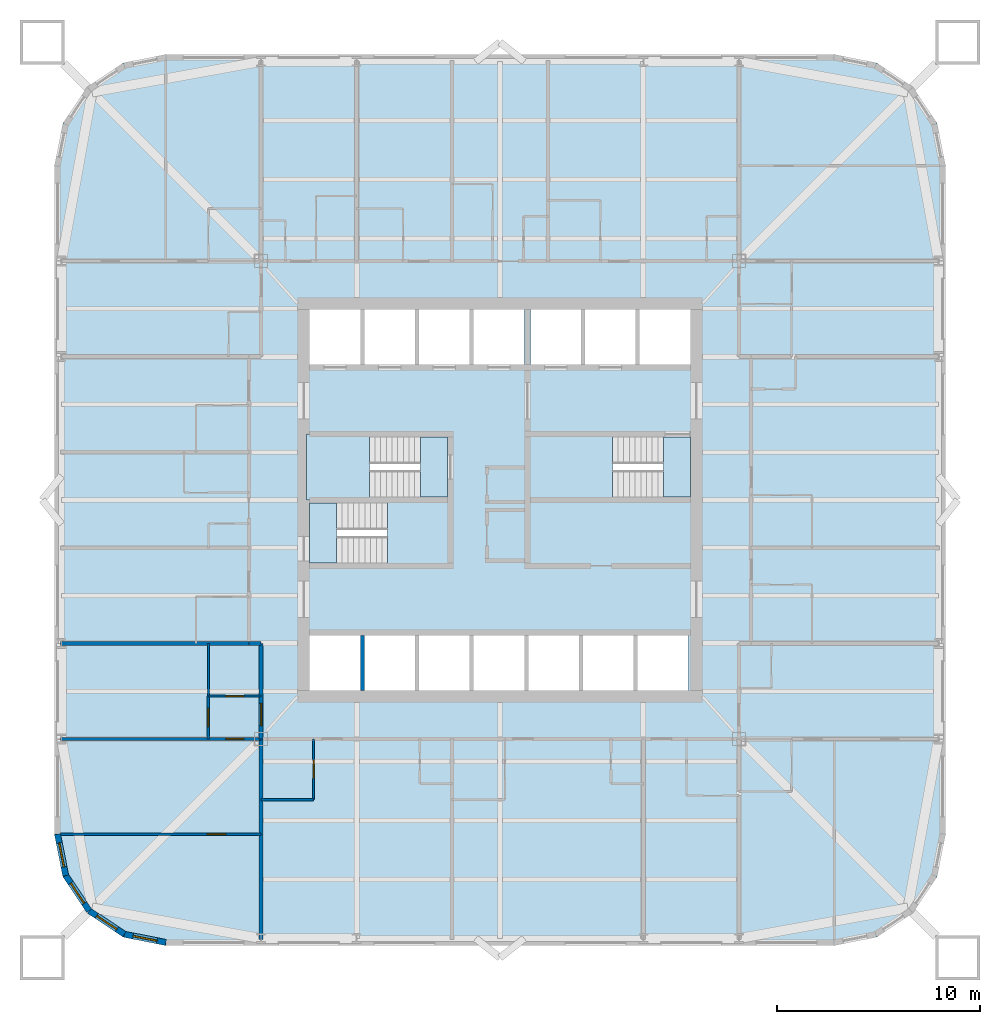
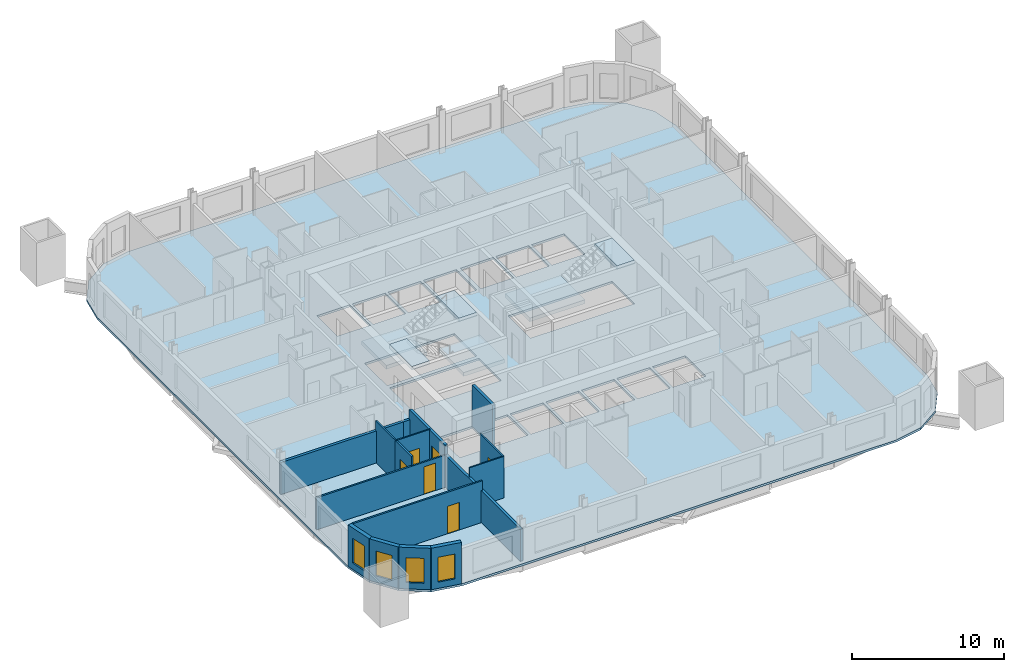
# One storey, part 2 of 9: 16 walls, 7 slabs, 6 doors, 4 windows, 10 openings, 3 elements without a shape of their own.
"""IFC4 building model written with IfcOpenShell, lengths in metres."""

import ifcopenshell
import ifcopenshell.guid

model = None  # the IFC model being written
_history = None  # IfcOwnerHistory: only IFC2X3 demands one
_inside = {}  # id of a spatial element -> (the spatial element, [elements in it])
_under = {}  # id of a project, library or spatial element -> (it, [spatial elements below it])
_declared = {}  # id of a project -> (the project, [libraries it declares])
_typed = {}  # id of a type object -> (the type object, [elements of that type])
_made_of = {}  # id of a material, layer set ... -> (it, [elements and type objects made of it])


def new_model(schema):
    """Start an empty IFC model of exactly this schema.

    Asked for "IFC4X3", IfcOpenShell would pick the latest addendum, in which some entities
    have other attributes; the version numbers below select the first issue.
    IFC2X3 requires an IfcOwnerHistory on every rooted entity: one is made here for all.
    """
    global model, _history
    if schema == "IFC4X3":
        model = ifcopenshell.file(schema_version=(4, 3, 0, 0))
    else:
        model = ifcopenshell.file(schema=schema)
    _inside.clear()
    _under.clear()
    _declared.clear()
    _typed.clear()
    _made_of.clear()
    _history = None
    if model.schema == "IFC2X3":
        org = make("IfcOrganization", Name="unknown")
        user = make(
            "IfcPersonAndOrganization",
            ThePerson=make("IfcPerson", FamilyName="unknown"),
            TheOrganization=org,
        )
        app = make(
            "IfcApplication",
            ApplicationDeveloper=org,
            Version="unknown",
            ApplicationFullName="unknown",
            ApplicationIdentifier="unknown",
        )
        _history = make(
            "IfcOwnerHistory",
            OwningUser=user,
            OwningApplication=app,
            ChangeAction="ADDED",
            CreationDate=0,
        )
    return model


def make(cls, **values):
    """One entity of the class cls with the attributes given. An attribute that is None is left unset."""
    return model.create_entity(
        cls, **{name: value for name, value in values.items() if value is not None}
    )


def rooted(cls, **values):
    """An entity with a GlobalId (a new one), such as an element, a storey or a relation."""
    return make(cls, GlobalId=ifcopenshell.guid.new(), OwnerHistory=_history, **values)


def si_unit(unit_type, name, prefix=None):
    """IfcSIUnit, for example si_unit("LENGTHUNIT", "METRE", prefix="MILLI")."""
    return make("IfcSIUnit", UnitType=unit_type, Prefix=prefix, Name=name)


def assignment(units):
    """IfcUnitAssignment: the units of a project."""
    return None if units is None else make("IfcUnitAssignment", Units=units)


def point(xyz):
    """IfcCartesianPoint."""
    return None if xyz is None else make("IfcCartesianPoint", Coordinates=xyz)


def direction(xyz):
    """IfcDirection."""
    return None if xyz is None else make("IfcDirection", DirectionRatios=xyz)


def frame(location, z_axis=None, x_axis=None):
    """IfcAxis2Placement3D, a coordinate frame: its origin and axes. An axis left out is left unset."""
    return make(
        "IfcAxis2Placement3D",
        Location=point(location),
        Axis=direction(z_axis),
        RefDirection=direction(x_axis),
    )


def frame_2d(location, x_axis=None):
    """IfcAxis2Placement2D, a coordinate frame in the plane: its origin and x axis."""
    return make(
        "IfcAxis2Placement2D", Location=point(location), RefDirection=direction(x_axis)
    )


def origin():
    """The frame at (0, 0, 0) with its axes left unset."""
    return frame((0.0, 0.0, 0.0))


def place(relative_to, where):
    """IfcLocalPlacement: puts the frame where relative to a parent placement (None: the world)."""
    return make(
        "IfcLocalPlacement", PlacementRelTo=relative_to, RelativePlacement=where
    )


def context(
    kind, dimensions, precision=None, world=None, true_north=None, identifier=None
):
    """IfcGeometricRepresentationContext, for example the 3D "Model" context."""
    return make(
        "IfcGeometricRepresentationContext",
        ContextIdentifier=identifier,
        ContextType=kind,
        CoordinateSpaceDimension=dimensions,
        Precision=precision,
        WorldCoordinateSystem=world,
        TrueNorth=true_north,
    )


def subcontext(parent, identifier, kind, view, scale=None):
    """IfcGeometricRepresentationSubContext, for example "Body" below "Model"."""
    return make(
        "IfcGeometricRepresentationSubContext",
        ContextIdentifier=identifier,
        ContextType=kind,
        ParentContext=parent,
        TargetScale=scale,
        TargetView=view,
    )


def project(units=None, contexts=None):
    """IfcProject with its units and contexts."""
    return rooted(
        "IfcProject",
        Name="project",
        RepresentationContexts=contexts,
        UnitsInContext=assignment(units),
    )


def spatial(cls, under=None, at=None, **own):
    """A site, building, storey or space (cls), placed at a placement, below another one or the project."""
    s = rooted(cls, ObjectPlacement=at, **own)
    if under is not None:
        _under.setdefault(under.id(), (under, []))[1].append(s)
    return s


def polyline(points):
    """IfcPolyline through the points."""
    return make("IfcPolyline", Points=[point(p) for p in points])


def profile(cls, at=None, kind="AREA", **sizes):
    """A parametric profile (cls). Its sizes go by their IFC names, for example OverallWidth=200.0."""
    return make(cls, ProfileType=kind, Position=at, **sizes)


def rectangle(**sizes):
    """IfcRectangleProfileDef."""
    return profile("IfcRectangleProfileDef", **sizes)


def outline(outer, holes=None, kind="AREA"):
    """IfcArbitraryClosedProfileDef: a profile drawn as a closed curve; with holes, ...WithVoids."""
    if holes is None:
        return make("IfcArbitraryClosedProfileDef", ProfileType=kind, OuterCurve=outer)
    return make(
        "IfcArbitraryProfileDefWithVoids",
        ProfileType=kind,
        OuterCurve=outer,
        InnerCurves=holes,
    )


def extrude(swept, where, along, depth):
    """IfcExtrudedAreaSolid: the profile swept, set in the frame where, extruded along a direction by depth."""
    return make(
        "IfcExtrudedAreaSolid",
        SweptArea=swept,
        Position=where,
        ExtrudedDirection=direction(along),
        Depth=depth,
    )


def shape(context_of_items, identifier, shape_type, items):
    """IfcShapeRepresentation: the items that make up one representation, for example the "Body"."""
    return make(
        "IfcShapeRepresentation",
        ContextOfItems=context_of_items,
        RepresentationIdentifier=identifier,
        RepresentationType=shape_type,
        Items=items,
    )


def material(Name=None, Category=None):
    """IfcMaterial."""
    return make("IfcMaterial", Name=Name, Category=Category)


def layer(
    of_material, thickness, ventilated=None, Name=None, Category=None, Priority=None
):
    """IfcMaterialLayer: one layer of a wall or slab, of a material (None: an air gap)."""
    return make(
        "IfcMaterialLayer",
        Material=of_material,
        LayerThickness=thickness,
        IsVentilated=ventilated,
        Name=Name,
        Category=Category,
        Priority=Priority,
    )


def layer_set(layers, Name=None):
    """IfcMaterialLayerSet."""
    return make("IfcMaterialLayerSet", MaterialLayers=layers, LayerSetName=Name)


def made_of(thing, what):
    """Note that an element or type object is made of a material, layer set ...; save() writes the relation."""
    if what is not None:
        _made_of.setdefault(what.id(), (what, []))[1].append(thing)
    return thing


def type_object(cls, material=None, **own):
    """A type object (cls), such as IfcWallType, which elements share."""
    return made_of(rooted(cls, **own), material)


def element(
    cls,
    number,
    at=None,
    inside=None,
    cuts=None,
    type_object=None,
    material=None,
    context=None,
    identifier="Body",
    shape_type=None,
    held_by="IfcProductDefinitionShape",
    body=None,
    shapes=None,
    **own,
):
    """One element of the class cls, such as IfcWall. Its Tag is "e" and its number.

    at: its placement. inside: the storey or other place that contains it. cuts: it is an
    opening in that element (IfcRelVoidsElement). A single representation is given by context,
    identifier, shape_type and body (its items); several are given by shapes. held_by: the class
    of the entity that holds the representations. save() writes the other relations.
    """
    e = rooted(cls, Tag="e%d" % number, ObjectPlacement=at, **own)
    if body is not None:
        shapes = [shape(context, identifier, shape_type, body)]
    if shapes is not None:
        e.Representation = make(held_by, Representations=shapes)
    if inside is not None:
        _inside.setdefault(inside.id(), (inside, []))[1].append(e)
    if cuts is not None:
        rooted(
            "IfcRelVoidsElement", RelatingBuildingElement=cuts, RelatedOpeningElement=e
        )
    if type_object is not None:
        _typed.setdefault(type_object.id(), (type_object, []))[1].append(e)
    return made_of(e, material)


def fill(opening, filler):
    """IfcRelFillsElement: the door or window that sits in an opening."""
    return rooted(
        "IfcRelFillsElement",
        RelatingOpeningElement=opening,
        RelatedBuildingElement=filler,
    )


def aggregate(whole, parts):
    """IfcRelAggregates: a whole, such as a stair, and the parts it consists of."""
    return rooted("IfcRelAggregates", RelatingObject=whole, RelatedObjects=parts)


def save(model, path):
    """Write the relations noted so far, then the file.

    IfcRelAggregates (storeys below a building ...), IfcRelContainedInSpatialStructure (elements
    in a storey), IfcRelDefinesByType, IfcRelAssociatesMaterial and IfcRelDeclares: one each for
    every whole, place, type object, material and project.
    """
    for whole, parts in _under.values():
        aggregate(whole, parts)
    for where, things in _inside.values():
        rooted(
            "IfcRelContainedInSpatialStructure",
            RelatedElements=things,
            RelatingStructure=where,
        )
    for kind, things in _typed.values():
        rooted("IfcRelDefinesByType", RelatedObjects=things, RelatingType=kind)
    for what, things in _made_of.values():
        rooted("IfcRelAssociatesMaterial", RelatedObjects=things, RelatingMaterial=what)
    for by, libraries in _declared.values():
        rooted("IfcRelDeclares", RelatingContext=by, RelatedDefinitions=libraries)
    model.write(path)


model = new_model("IFC4")

# Units and contexts
model_context = context("Model", 3, precision=1e-05, world=origin(), true_north=direction((0.0, 1.0)))
body_context = subcontext(model_context, "Body", "Model", "MODEL_VIEW")
ifc_project = project(units=[si_unit("LENGTHUNIT", "METRE"), si_unit("AREAUNIT", "SQUARE_METRE"), si_unit("VOLUMEUNIT", "CUBIC_METRE"), si_unit("PLANEANGLEUNIT", "RADIAN"), si_unit("MASSUNIT", "GRAM", prefix="KILO")], contexts=[model_context])

# Site, building, storey
site_placement = place(None, origin())
site = spatial("IfcSite", under=ifc_project, at=site_placement, CompositionType="ELEMENT")
building_placement = place(site_placement, origin())
building = spatial("IfcBuilding", under=site, at=building_placement, Name="Turquesa Mirador Hotel Tower", CompositionType="ELEMENT")
storey_placement = place(building_placement, frame((0.0, 0.0, 56.5)))
storey = spatial("IfcBuildingStorey", under=building, at=storey_placement, Name="L14", CompositionType="ELEMENT", Elevation=56.5)

# Slab
ifc_material_1 = material(Name="Concrete C28/35", Category="concrete")
ifc_layer_1 = layer(ifc_material_1, 0.169921875)
ifc_layer_set_1 = layer_set([ifc_layer_1], Name="COMPOSITE FLOOR SLAB 170")
slab_type_1 = type_object("IfcSlabType", Name="COMPOSITE FLOOR SLAB 170", PredefinedType="FLOOR", material=ifc_layer_set_1)
slab_1_placement = place(storey_placement, frame((0.0, 0.0, -0.169921875)))
element("IfcSlab", 1, at=slab_1_placement, inside=storey, type_object=slab_type_1, Name="Floor slab L14", PredefinedType="FLOOR", context=body_context, shape_type="SweptSolid", body=[
    extrude(outline(polyline([(71.5, 23.0), (73.604736328125, 23.418701171875), (75.38916015625, 24.61083984375), (76.581298828125, 26.395263671875), (77.0, 28.5), (77.0, 61.5), (76.581298828125, 63.604736328125), (75.38916015625, 65.38916015625), (73.604736328125, 66.581298828125), (71.5, 67.0), (38.5, 67.0), (36.395263671875, 66.581298828125), (34.61083984375, 65.38916015625), (33.418701171875, 63.604736328125), (33.0, 61.5), (33.0, 28.5), (33.418701171875, 26.395263671875), (34.61083984375, 24.61083984375), (36.395263671875, 23.418701171875), (38.5, 23.0), (71.5, 23.0)]), holes=[polyline([(45.60009765625, 51.699951171875), (48.10009765625, 51.699951171875), (48.10009765625, 54.39990234375), (45.60009765625, 54.39990234375), (45.60009765625, 51.699951171875)]), polyline([(48.300048828125, 51.699951171875), (50.800048828125, 51.699951171875), (50.800048828125, 54.39990234375), (48.300048828125, 54.39990234375), (48.300048828125, 51.699951171875)]), polyline([(51.0, 51.699951171875), (53.5, 51.699951171875), (53.5, 54.39990234375), (51.0, 54.39990234375), (51.0, 51.699951171875)]), polyline([(53.699951171875, 51.699951171875), (56.199951171875, 51.699951171875), (56.199951171875, 54.39990234375), (53.699951171875, 54.39990234375), (53.699951171875, 51.699951171875)]), polyline([(56.5, 51.699951171875), (59.0, 51.699951171875), (59.0, 54.39990234375), (56.5, 54.39990234375), (56.5, 51.699951171875)]), polyline([(59.199951171875, 51.699951171875), (61.699951171875, 51.699951171875), (61.699951171875, 54.39990234375), (59.199951171875, 54.39990234375), (59.199951171875, 51.699951171875)]), polyline([(45.60009765625, 35.60009765625), (48.10009765625, 35.60009765625), (48.10009765625, 38.300048828125), (45.60009765625, 38.300048828125), (45.60009765625, 35.60009765625)]), polyline([(48.300048828125, 35.60009765625), (50.800048828125, 35.60009765625), (50.800048828125, 38.300048828125), (48.300048828125, 38.300048828125), (48.300048828125, 35.60009765625)]), polyline([(51.0, 35.60009765625), (53.5, 35.60009765625), (53.5, 38.300048828125), (51.0, 38.300048828125), (51.0, 35.60009765625)]), polyline([(53.699951171875, 35.60009765625), (56.199951171875, 35.60009765625), (56.199951171875, 38.300048828125), (53.699951171875, 38.300048828125), (53.699951171875, 35.60009765625)]), polyline([(56.39990234375, 35.60009765625), (58.89990234375, 35.60009765625), (58.89990234375, 38.300048828125), (56.39990234375, 38.300048828125), (56.39990234375, 35.60009765625)]), polyline([(59.10009765625, 35.60009765625), (61.60009765625, 35.60009765625), (61.60009765625, 38.300048828125), (59.10009765625, 38.300048828125), (59.10009765625, 35.60009765625)]), polyline([(61.800048828125, 35.60009765625), (64.300048828125, 35.60009765625), (64.300048828125, 38.300048828125), (61.800048828125, 38.300048828125), (61.800048828125, 35.60009765625)]), polyline([(45.60009765625, 45.14990234375), (52.39990234375, 45.14990234375), (52.39990234375, 48.10009765625), (45.60009765625, 48.10009765625), (45.60009765625, 45.14990234375)]), polyline([(45.60009765625, 41.89990234375), (52.39990234375, 41.89990234375), (52.39990234375, 44.85009765625), (45.60009765625, 44.85009765625), (45.60009765625, 41.89990234375)]), polyline([(56.5, 45.14990234375), (64.39990234375, 45.14990234375), (64.39990234375, 48.10009765625), (56.5, 48.10009765625), (56.5, 45.14990234375)]), polyline([(61.89990234375, 51.699951171875), (64.39990234375, 51.699951171875), (64.39990234375, 54.39990234375), (61.89990234375, 54.39990234375), (61.89990234375, 51.699951171875)])]), origin(), (0.0, 0.0, 1.0), 0.169921875),
])

# Stair, slabs
ifc_material_2 = material(Name="Concrete C35/45", Category="concrete")
stair_type = type_object("IfcStairType", Name="ESCAPE STAIR CORE", PredefinedType="HALF_TURN_STAIR", material=ifc_material_2)
stair_1_placement = place(storey_placement, origin())
stair_1 = element("IfcStair", 2, at=stair_1_placement, inside=storey, type_object=stair_type, Name="Stair ST1 L14 to L15", PredefinedType="HALF_TURN_STAIR")
ifc_material_3 = material(Name="Concrete C35/45", Category="concrete")
ifc_layer_2 = layer(ifc_material_3, 0.300048828125)
ifc_layer_set_2 = layer_set([ifc_layer_2], Name="STAIR LANDING 300")
slab_type_2 = type_object("IfcSlabType", Name="STAIR LANDING 300", PredefinedType="LANDING", material=ifc_layer_set_2)
slab_2_placement = place(storey_placement, frame((0.0, 0.0, 1.449951171875)))
slab_2 = element("IfcSlab", 3, at=slab_2_placement, type_object=slab_type_2, Name="ST1 landing 1", PredefinedType="LANDING", context=body_context, shape_type="SweptSolid", body=[
    extrude(outline(polyline([(45.449951171875, 45.0), (48.550048828125, 45.0), (48.550048828125, 48.25), (45.449951171875, 48.25), (45.449951171875, 45.0)])), origin(), (0.0, 0.0, 1.0), 0.300048828125),
])
slab_3_placement = place(storey_placement, frame((0.0, 0.0, 3.199951171875)))
slab_3 = element("IfcSlab", 4, at=slab_3_placement, type_object=slab_type_2, Name="ST1 landing 2", PredefinedType="LANDING", context=body_context, shape_type="SweptSolid", body=[
    extrude(outline(polyline([(51.070068359375, 45.14990234375), (52.39990234375, 45.14990234375), (52.39990234375, 48.10009765625), (51.070068359375, 48.10009765625), (51.070068359375, 45.14990234375)])), origin(), (0.0, 0.0, 1.0), 0.300048828125),
])
aggregate(stair_1, [slab_2, slab_3])

stair_2_placement = place(storey_placement, origin())
stair_2 = element("IfcStair", 5, at=stair_2_placement, inside=storey, type_object=stair_type, Name="Stair ST2 L14 to L15", PredefinedType="HALF_TURN_STAIR")
slab_4_placement = place(storey_placement, frame((0.0, 0.0, 1.449951171875)))
slab_4 = element("IfcSlab", 6, at=slab_4_placement, type_object=slab_type_2, Name="ST2 landing 1", PredefinedType="LANDING", context=body_context, shape_type="SweptSolid", body=[
    extrude(outline(polyline([(52.550048828125, 45.0), (49.449951171875, 45.0), (49.449951171875, 41.75), (52.550048828125, 41.75), (52.550048828125, 45.0)])), origin(), (0.0, 0.0, 1.0), 0.300048828125),
])
slab_5_placement = place(storey_placement, frame((0.0, 0.0, 3.199951171875)))
slab_5 = element("IfcSlab", 7, at=slab_5_placement, type_object=slab_type_2, Name="ST2 landing 2", PredefinedType="LANDING", context=body_context, shape_type="SweptSolid", body=[
    extrude(outline(polyline([(46.929931640625, 44.85009765625), (45.60009765625, 44.85009765625), (45.60009765625, 41.89990234375), (46.929931640625, 41.89990234375), (46.929931640625, 44.85009765625)])), origin(), (0.0, 0.0, 1.0), 0.300048828125),
])
aggregate(stair_2, [slab_4, slab_5])

stair_3_placement = place(storey_placement, origin())
stair_3 = element("IfcStair", 8, at=stair_3_placement, inside=storey, type_object=stair_type, Name="Stair ST3 L14 to L15", PredefinedType="HALF_TURN_STAIR")
slab_6_placement = place(storey_placement, frame((0.0, 0.0, 1.449951171875)))
slab_6 = element("IfcSlab", 9, at=slab_6_placement, type_object=slab_type_2, Name="ST3 landing 1", PredefinedType="LANDING", context=body_context, shape_type="SweptSolid", body=[
    extrude(outline(polyline([(56.35009765625, 45.0), (60.550048828125, 45.0), (60.550048828125, 48.25), (56.35009765625, 48.25), (56.35009765625, 45.0)])), origin(), (0.0, 0.0, 1.0), 0.300048828125),
])
slab_7_placement = place(storey_placement, frame((0.0, 0.0, 3.199951171875)))
slab_7 = element("IfcSlab", 10, at=slab_7_placement, type_object=slab_type_2, Name="ST3 landing 2", PredefinedType="LANDING", context=body_context, shape_type="SweptSolid", body=[
    extrude(outline(polyline([(63.070068359375, 45.14990234375), (64.39990234375, 45.14990234375), (64.39990234375, 48.10009765625), (63.070068359375, 48.10009765625), (63.070068359375, 45.14990234375)])), origin(), (0.0, 0.0, 1.0), 0.300048828125),
])
aggregate(stair_3, [slab_6, slab_7])

# Wall
ifc_material_4 = material(Name="Gypsum board on steel studs", Category="steel")
ifc_layer_3 = layer(ifc_material_4, 0.10009765625)
ifc_layer_set_3 = layer_set([ifc_layer_3], Name="BATHROOM WALL 100")
wall_type_1 = type_object("IfcWallType", Name="BATHROOM WALL 100", PredefinedType="PARTITIONING", material=ifc_layer_set_3)
wall_1_placement = place(storey_placement, frame((43.199951171875, 30.199951171875, 0.0), z_axis=(0.0, 0.0, 1.0), x_axis=(1.0, 0.0, 0.0)))
element("IfcWall", 11, at=wall_1_placement, inside=storey, type_object=wall_type_1, Name="Partition L14 010", PredefinedType="PARTITIONING", context=body_context, shape_type="SweptSolid", body=[
    extrude(rectangle(XDim=2.60009765625, YDim=0.10009765625, at=frame_2d((1.300048828125, 0.0))), origin(), (0.0, 0.0, 1.0), 3.330078125),
])

# Wall, opening, door
wall_2_placement = place(storey_placement, frame((40.60009765625, 35.320068359375, 0.0), z_axis=(0.0, 0.0, 1.0), x_axis=(1.0, 0.0, 0.0)))
wall_2 = element("IfcWall", 12, at=wall_2_placement, inside=storey, type_object=wall_type_1, Name="Partition L14 022", PredefinedType="PARTITIONING", context=body_context, shape_type="SweptSolid", body=[
    extrude(rectangle(XDim=2.599853515625, YDim=0.10009765625, at=frame_2d((1.2998046875, 0.0))), origin(), (0.0, 0.0, 1.0), 3.330078125),
])
opening_1_placement = place(wall_2_placement, frame((0.85009765625, 0.0, 0.0)))
opening_1 = element("IfcOpeningElement", 13, at=opening_1_placement, cuts=wall_2, Name="Opening D02", PredefinedType="OPENING", context=body_context, shape_type="SweptSolid", body=[
    extrude(rectangle(XDim=0.89990234375, YDim=2.10009765625, at=frame_2d((0.449951171875, 1.050048828125))), frame((0.0, 0.06005859375, 0.0), z_axis=(0.0, -1.0, 0.0), x_axis=(1.0, 0.0, 0.0)), (0.0, 0.0, 1.0), 0.1201171875),
])
ifc_material_5 = material(Name="Timber veneered door", Category="wood")
door_type_1 = type_object("IfcDoorType", Name="DOOR 900X2100 EN-SUITE", OperationType="SINGLE_SWING_RIGHT", PredefinedType="DOOR", material=ifc_material_5)
door_1_placement = place(opening_1_placement, origin())
door_1 = element("IfcDoor", 14, at=door_1_placement, inside=storey, type_object=door_type_1, Name="Door 1415B", OperationType="SINGLE_SWING_RIGHT", OverallHeight=2.10009765625, OverallWidth=0.89990234375, PredefinedType="DOOR", context=body_context, shape_type="SweptSolid", body=[
    extrude(rectangle(XDim=0.89990234375, YDim=2.10009765625, at=frame_2d((0.449951171875, 1.050048828125))), frame((0.0, 0.02490234375, 0.0), z_axis=(0.0, -1.0, 0.0), x_axis=(1.0, 0.0, 0.0)), (0.0, 0.0, 1.0), 0.050048828125),
])
fill(opening_1, door_1)

# Wall
wall_3_placement = place(storey_placement, frame((40.60009765625, 35.320068359375, 0.0), z_axis=(0.0, 0.0, 1.0), x_axis=(0.0, 1.0, 0.0)))
element("IfcWall", 15, at=wall_3_placement, inside=storey, type_object=wall_type_1, Name="Partition L14 056", PredefinedType="PARTITIONING", context=body_context, shape_type="SweptSolid", body=[
    extrude(rectangle(XDim=2.599853515625, YDim=0.10009765625, at=frame_2d((1.2998046875, 0.0))), origin(), (0.0, 0.0, 1.0), 3.330078125),
])

# Wall, opening, door
wall_4_placement = place(storey_placement, frame((45.800048828125, 30.199951171875, 0.0), z_axis=(0.0, 0.0, 1.0), x_axis=(0.0, 1.0, 0.0)))
wall_4 = element("IfcWall", 16, at=wall_4_placement, inside=storey, type_object=wall_type_1, Name="Partition L14 070", PredefinedType="PARTITIONING", context=body_context, shape_type="SweptSolid", body=[
    extrude(rectangle(XDim=3.0, YDim=0.10009765625, at=frame_2d((1.5, 0.0))), origin(), (0.0, 0.0, 1.0), 3.330078125),
])
opening_2_placement = place(wall_4_placement, frame((1.050048828125, 0.0, 0.0)))
opening_2 = element("IfcOpeningElement", 17, at=opening_2_placement, cuts=wall_4, Name="Opening D02", PredefinedType="OPENING", context=body_context, shape_type="SweptSolid", body=[
    extrude(rectangle(XDim=0.89990234375, YDim=2.10009765625, at=frame_2d((0.449951171875, 1.050048828125))), frame((0.0, 0.06005859375, 0.0), z_axis=(0.0, -1.0, 0.0), x_axis=(1.0, 0.0, 0.0)), (0.0, 0.0, 1.0), 0.1201171875),
])
door_2_placement = place(opening_2_placement, origin())
door_2 = element("IfcDoor", 18, at=door_2_placement, inside=storey, type_object=door_type_1, Name="Door 1405B", OperationType="SINGLE_SWING_RIGHT", OverallHeight=2.10009765625, OverallWidth=0.89990234375, PredefinedType="DOOR", context=body_context, shape_type="SweptSolid", body=[
    extrude(rectangle(XDim=0.89990234375, YDim=2.10009765625, at=frame_2d((0.449951171875, 1.050048828125))), frame((0.0, 0.02490234375, 0.0), z_axis=(0.0, -1.0, 0.0), x_axis=(1.0, 0.0, 0.0)), (0.0, 0.0, 1.0), 0.050048828125),
])
fill(opening_2, door_2)

# Wall
ifc_material_6 = material(Name="Fire-rated gypsum board on steel studs", Category="steel")
ifc_layer_4 = layer(ifc_material_6, 0.199951171875)
ifc_layer_set_4 = layer_set([ifc_layer_4], Name="CORRIDOR WALL 200")
wall_type_2 = type_object("IfcWallType", Name="CORRIDOR WALL 200", PredefinedType="PARTITIONING", material=ifc_layer_set_4)
wall_5_placement = place(storey_placement, frame((42.60009765625, 37.919921875, 0.0), z_axis=(0.0, 0.0, 1.0), x_axis=(1.0, 0.0, 0.0)))
element("IfcWall", 19, at=wall_5_placement, inside=storey, type_object=wall_type_2, Name="Partition L14 017", PredefinedType="PARTITIONING", context=body_context, shape_type="SweptSolid", body=[
    extrude(rectangle(XDim=0.599853515625, YDim=0.199951171875, at=frame_2d((0.2998046875, 0.0))), origin(), (0.0, 0.0, 1.0), 2.572998046875),
])

# Wall, opening, door
wall_6_placement = place(storey_placement, frame((43.199951171875, 33.199951171875, 0.0), z_axis=(0.0, 0.0, 1.0), x_axis=(0.0, 1.0, 0.0)))
wall_6 = element("IfcWall", 20, at=wall_6_placement, inside=storey, type_object=wall_type_2, Name="Partition L14 050", PredefinedType="PARTITIONING", context=body_context, shape_type="SweptSolid", body=[
    extrude(rectangle(XDim=4.719970703125, YDim=0.199951171875, at=frame_2d((2.35986328125, 0.0))), origin(), (0.0, 0.0, 1.0), 3.330078125),
])
opening_3_placement = place(wall_6_placement, frame((0.659912109375, 0.0, 0.0)))
opening_3 = element("IfcOpeningElement", 21, at=opening_3_placement, cuts=wall_6, Name="Opening D15", PredefinedType="OPENING", context=body_context, shape_type="SweptSolid", body=[
    extrude(rectangle(XDim=1.10009765625, YDim=2.199951171875, at=frame_2d((0.550048828125, 1.10009765625))), frame((0.0, 0.10986328125, 0.0), z_axis=(0.0, -1.0, 0.0), x_axis=(1.0, 0.0, 0.0)), (0.0, 0.0, 1.0), 0.219970703125),
])
ifc_material_7 = material(Name="Timber veneered fire door", Category="wood")
door_type_2 = type_object("IfcDoorType", Name="DOOR 1100X2200 SUITE ENTRY", OperationType="SINGLE_SWING_LEFT", PredefinedType="DOOR", material=ifc_material_7)
door_3_placement = place(opening_3_placement, origin())
door_3 = element("IfcDoor", 22, at=door_3_placement, inside=storey, type_object=door_type_2, Name="Door 1415H", OperationType="SINGLE_SWING_LEFT", OverallHeight=2.199951171875, OverallWidth=1.10009765625, PredefinedType="DOOR", context=body_context, shape_type="SweptSolid", body=[
    extrude(rectangle(XDim=1.10009765625, YDim=2.199951171875, at=frame_2d((0.550048828125, 1.10009765625))), frame((0.0, 0.02490234375, 0.0), z_axis=(0.0, -1.0, 0.0), x_axis=(1.0, 0.0, 0.0)), (0.0, 0.0, 1.0), 0.050048828125),
])
fill(opening_3, door_3)

# Wall, opening, window
ifc_material_8 = material(Name="Limestone cladding on concrete block", Category="masonry")
ifc_layer_5 = layer(ifc_material_8, 0.300048828125)
ifc_layer_set_5 = layer_set([ifc_layer_5], Name="FACADE WALL 300 STONE SCREEN")
wall_type_3 = type_object("IfcWallType", Name="FACADE WALL 300 STONE SCREEN", PredefinedType="SOLIDWALL", material=ifc_layer_set_5)
wall_7_placement = place(storey_placement, frame((33.14990234375, 28.5, 0.0), z_axis=(0.0, 0.0, 1.0), x_axis=(0.195081421501, -0.980787050784, 0.0)))
wall_7 = element("IfcWall", 23, at=wall_7_placement, inside=storey, type_object=wall_type_3, Name="Facade wall L14 15", PredefinedType="SOLIDWALL", context=body_context, shape_type="SweptSolid", body=[
    extrude(rectangle(XDim=2.08740234375, YDim=0.300048828125, at=frame_2d((1.043701171875, 0.0))), origin(), (0.0, 0.0, 1.0), 3.330078125),
])
opening_4_placement = place(wall_7_placement, frame((0.443603515625, 0.0, 0.5)))
opening_4 = element("IfcOpeningElement", 24, at=opening_4_placement, cuts=wall_7, Name="Opening WN4", PredefinedType="OPENING", context=body_context, shape_type="SweptSolid", body=[
    extrude(rectangle(XDim=1.199951171875, YDim=2.0, at=frame_2d((0.60009765625, 1.0))), frame((0.0, 0.159912109375, 0.0), z_axis=(0.0, -1.0, 0.0), x_axis=(1.0, 0.0, 0.0)), (0.0, 0.0, 1.0), 0.320068359375),
])
ifc_material_9 = material(Name="Ceramic-fritted laminated glass", Category="glass")
window_type = type_object("IfcWindowType", Name="FRITTED CORNER WINDOW 1200X2000", PartitioningType="DOUBLE_PANEL_HORIZONTAL", PredefinedType="WINDOW", material=ifc_material_9)
window_1_placement = place(opening_4_placement, origin())
window_1 = element("IfcWindow", 25, at=window_1_placement, inside=storey, type_object=window_type, Name="Window L14", OverallHeight=2.0, OverallWidth=1.199951171875, PartitioningType="SINGLE_PANEL", PredefinedType="WINDOW", context=body_context, shape_type="SweptSolid", body=[
    extrude(rectangle(XDim=1.199951171875, YDim=2.0, at=frame_2d((0.60009765625, 1.0))), frame((0.0, 0.030029296875, 0.0), z_axis=(0.0, -1.0, 0.0), x_axis=(1.0, 0.0, 0.0)), (0.0, 0.0, 1.0), 0.06005859375),
])
fill(opening_4, window_1)

wall_8_placement = place(storey_placement, frame((33.55712890625, 26.45263671875, 0.0), z_axis=(0.0, 0.0, 1.0), x_axis=(0.555644460423, -0.831420010345, 0.0)))
wall_8 = element("IfcWall", 26, at=wall_8_placement, inside=storey, type_object=wall_type_3, Name="Facade wall L14 16", PredefinedType="SOLIDWALL", context=body_context, shape_type="SweptSolid", body=[
    extrude(rectangle(XDim=2.08740234375, YDim=0.300048828125, at=frame_2d((1.043701171875, 0.0))), origin(), (0.0, 0.0, 1.0), 3.330078125),
])
opening_5_placement = place(wall_8_placement, frame((0.443603515625, 0.0, 0.5)))
opening_5 = element("IfcOpeningElement", 27, at=opening_5_placement, cuts=wall_8, Name="Opening WN4", PredefinedType="OPENING", context=body_context, shape_type="SweptSolid", body=[
    extrude(rectangle(XDim=1.199951171875, YDim=2.0, at=frame_2d((0.60009765625, 1.0))), frame((0.0, 0.159912109375, 0.0), z_axis=(0.0, -1.0, 0.0), x_axis=(1.0, 0.0, 0.0)), (0.0, 0.0, 1.0), 0.320068359375),
])
window_2_placement = place(opening_5_placement, origin())
window_2 = element("IfcWindow", 28, at=window_2_placement, inside=storey, type_object=window_type, Name="Window L14", OverallHeight=2.0, OverallWidth=1.199951171875, PartitioningType="SINGLE_PANEL", PredefinedType="WINDOW", context=body_context, shape_type="SweptSolid", body=[
    extrude(rectangle(XDim=1.199951171875, YDim=2.0, at=frame_2d((0.60009765625, 1.0))), frame((0.0, 0.030029296875, 0.0), z_axis=(0.0, -1.0, 0.0), x_axis=(1.0, 0.0, 0.0)), (0.0, 0.0, 1.0), 0.06005859375),
])
fill(opening_5, window_2)

wall_9_placement = place(storey_placement, frame((34.717041015625, 24.717041015625, 0.0), z_axis=(0.0, 0.0, 1.0), x_axis=(0.831420010345, -0.555644460423, 0.0)))
wall_9 = element("IfcWall", 29, at=wall_9_placement, inside=storey, type_object=wall_type_3, Name="Facade wall L14 17", PredefinedType="SOLIDWALL", context=body_context, shape_type="SweptSolid", body=[
    extrude(rectangle(XDim=2.08740234375, YDim=0.300048828125, at=frame_2d((1.043701171875, 0.0))), origin(), (0.0, 0.0, 1.0), 3.330078125),
])
opening_6_placement = place(wall_9_placement, frame((0.443603515625, 0.0, 0.5)))
opening_6 = element("IfcOpeningElement", 30, at=opening_6_placement, cuts=wall_9, Name="Opening WN4", PredefinedType="OPENING", context=body_context, shape_type="SweptSolid", body=[
    extrude(rectangle(XDim=1.199951171875, YDim=2.0, at=frame_2d((0.60009765625, 1.0))), frame((0.0, 0.159912109375, 0.0), z_axis=(0.0, -1.0, 0.0), x_axis=(1.0, 0.0, 0.0)), (0.0, 0.0, 1.0), 0.320068359375),
])
window_3_placement = place(opening_6_placement, origin())
window_3 = element("IfcWindow", 31, at=window_3_placement, inside=storey, type_object=window_type, Name="Window L14", OverallHeight=2.0, OverallWidth=1.199951171875, PartitioningType="SINGLE_PANEL", PredefinedType="WINDOW", context=body_context, shape_type="SweptSolid", body=[
    extrude(rectangle(XDim=1.199951171875, YDim=2.0, at=frame_2d((0.60009765625, 1.0))), frame((0.0, 0.030029296875, 0.0), z_axis=(0.0, -1.0, 0.0), x_axis=(1.0, 0.0, 0.0)), (0.0, 0.0, 1.0), 0.06005859375),
])
fill(opening_6, window_3)

wall_10_placement = place(storey_placement, frame((36.45263671875, 23.55712890625, 0.0), z_axis=(0.0, 0.0, 1.0), x_axis=(0.980787050784, -0.195081421501, 0.0)))
wall_10 = element("IfcWall", 32, at=wall_10_placement, inside=storey, type_object=wall_type_3, Name="Facade wall L14 18", PredefinedType="SOLIDWALL", context=body_context, shape_type="SweptSolid", body=[
    extrude(rectangle(XDim=2.08740234375, YDim=0.300048828125, at=frame_2d((1.043701171875, 0.0))), origin(), (0.0, 0.0, 1.0), 3.330078125),
])
opening_7_placement = place(wall_10_placement, frame((0.443603515625, 0.0, 0.5)))
opening_7 = element("IfcOpeningElement", 33, at=opening_7_placement, cuts=wall_10, Name="Opening WN4", PredefinedType="OPENING", context=body_context, shape_type="SweptSolid", body=[
    extrude(rectangle(XDim=1.199951171875, YDim=2.0, at=frame_2d((0.60009765625, 1.0))), frame((0.0, 0.159912109375, 0.0), z_axis=(0.0, -1.0, 0.0), x_axis=(1.0, 0.0, 0.0)), (0.0, 0.0, 1.0), 0.320068359375),
])
window_4_placement = place(opening_7_placement, origin())
window_4 = element("IfcWindow", 34, at=window_4_placement, inside=storey, type_object=window_type, Name="Window L14", OverallHeight=2.0, OverallWidth=1.199951171875, PartitioningType="SINGLE_PANEL", PredefinedType="WINDOW", context=body_context, shape_type="SweptSolid", body=[
    extrude(rectangle(XDim=1.199951171875, YDim=2.0, at=frame_2d((0.60009765625, 1.0))), frame((0.0, 0.030029296875, 0.0), z_axis=(0.0, -1.0, 0.0), x_axis=(1.0, 0.0, 0.0)), (0.0, 0.0, 1.0), 0.06005859375),
])
fill(opening_7, window_4)

# Walls
ifc_material_10 = material(Name="Fire-rated gypsum shaft wall on steel studs", Category="steel")
ifc_layer_6 = layer(ifc_material_10, 0.199951171875)
ifc_layer_set_6 = layer_set([ifc_layer_6], Name="LIFT SHAFT DIVIDER 200")
wall_type_4 = type_object("IfcWallType", Name="LIFT SHAFT DIVIDER 200", PredefinedType="PARTITIONING", material=ifc_layer_set_6)
wall_11_placement = place(storey_placement, frame((48.199951171875, 35.60009765625, 0.0), z_axis=(0.0, 0.0, 1.0), x_axis=(0.0, 1.0, 0.0)))
element("IfcWall", 35, at=wall_11_placement, inside=storey, type_object=wall_type_4, Name="Lift shaft divider", PredefinedType="PARTITIONING", context=body_context, shape_type="SweptSolid", body=[
    extrude(rectangle(XDim=2.699951171875, YDim=0.199951171875, at=frame_2d((1.35009765625, 0.0))), origin(), (0.0, 0.0, 1.0), 3.330078125),
])
ifc_material_11 = material(Name="Fire-rated gypsum board on steel studs", Category="steel")
ifc_layer_7 = layer(ifc_material_11, 0.199951171875)
ifc_layer_set_7 = layer_set([ifc_layer_7], Name="PARTY WALL 200")
wall_type_5 = type_object("IfcWallType", Name="PARTY WALL 200", PredefinedType="PARTITIONING", material=ifc_layer_set_7)
wall_12_placement = place(storey_placement, frame((33.300048828125, 37.919921875, 0.0), z_axis=(0.0, 0.0, 1.0), x_axis=(1.0, 0.0, 0.0)))
element("IfcWall", 36, at=wall_12_placement, inside=storey, type_object=wall_type_5, Name="Partition L14 019", PredefinedType="PARTITIONING", context=body_context, shape_type="SweptSolid", body=[
    extrude(rectangle(XDim=9.300048828125, YDim=0.199951171875, at=frame_2d((4.64990234375, 0.0))), origin(), (0.0, 0.0, 1.0), 2.572998046875),
])
wall_13_placement = place(storey_placement, frame((43.199951171875, 23.300048828125, 0.0), z_axis=(0.0, 0.0, 1.0), x_axis=(0.0, 1.0, 0.0)))
element("IfcWall", 37, at=wall_13_placement, inside=storey, type_object=wall_type_5, Name="Partition L14 052", PredefinedType="PARTITIONING", context=body_context, shape_type="SweptSolid", body=[
    extrude(rectangle(XDim=9.89990234375, YDim=0.199951171875, at=frame_2d((4.949951171875, 0.0))), origin(), (0.0, 0.0, 1.0), 2.572998046875),
])

# Wall, opening, door
ifc_material_12 = material(Name="Acoustic gypsum board on steel studs", Category="steel")
ifc_layer_8 = layer(ifc_material_12, 0.125)
ifc_layer_set_8 = layer_set([ifc_layer_8], Name="SUITE PARTITION 125")
wall_type_6 = type_object("IfcWallType", Name="SUITE PARTITION 125", PredefinedType="PARTITIONING", material=ifc_layer_set_8)
wall_14_placement = place(storey_placement, frame((33.300048828125, 33.199951171875, 0.0), z_axis=(0.0, 0.0, 1.0), x_axis=(1.0, 0.0, 0.0)))
wall_14 = element("IfcWall", 38, at=wall_14_placement, inside=storey, type_object=wall_type_6, Name="Partition L14 004", PredefinedType="PARTITIONING", context=body_context, shape_type="SweptSolid", body=[
    extrude(rectangle(XDim=9.89990234375, YDim=0.125, at=frame_2d((4.949951171875, 0.0))), origin(), (0.0, 0.0, 1.0), 2.572998046875),
])
opening_8_placement = place(wall_14_placement, frame((8.14990234375, 0.0, 0.0)))
opening_8 = element("IfcOpeningElement", 39, at=opening_8_placement, cuts=wall_14, Name="Opening D17", PredefinedType="OPENING", context=body_context, shape_type="SweptSolid", body=[
    extrude(rectangle(XDim=0.89990234375, YDim=2.199951171875, at=frame_2d((0.449951171875, 1.10009765625))), frame((0.0, 0.072509765625, 0.0), z_axis=(0.0, -1.0, 0.0), x_axis=(1.0, 0.0, 0.0)), (0.0, 0.0, 1.0), 0.14501953125),
])
ifc_material_13 = material(Name="Timber veneered door", Category="wood")
door_type_3 = type_object("IfcDoorType", Name="DOOR 900X2200 SUITE INTERNAL", OperationType="SINGLE_SWING_LEFT", PredefinedType="DOOR", material=ifc_material_13)
door_4_placement = place(opening_8_placement, origin())
door_4 = element("IfcDoor", 40, at=door_4_placement, inside=storey, type_object=door_type_3, Name="Door 1415", OperationType="SINGLE_SWING_LEFT", OverallHeight=2.199951171875, OverallWidth=0.89990234375, PredefinedType="DOOR", context=body_context, shape_type="SweptSolid", body=[
    extrude(rectangle(XDim=0.89990234375, YDim=2.199951171875, at=frame_2d((0.449951171875, 1.10009765625))), frame((0.0, 0.02490234375, 0.0), z_axis=(0.0, -1.0, 0.0), x_axis=(1.0, 0.0, 0.0)), (0.0, 0.0, 1.0), 0.050048828125),
])
fill(opening_8, door_4)

wall_15_placement = place(storey_placement, frame((33.305908203125, 28.5, 0.0), z_axis=(0.0, 0.0, 1.0), x_axis=(1.0, 0.0, 0.0)))
wall_15 = element("IfcWall", 41, at=wall_15_placement, inside=storey, type_object=wall_type_6, Name="Partition L14 012", PredefinedType="PARTITIONING", context=body_context, shape_type="SweptSolid", body=[
    extrude(rectangle(XDim=9.89404296875, YDim=0.125, at=frame_2d((4.947021484375, 0.0))), origin(), (0.0, 0.0, 1.0), 3.330078125),
])
opening_9_placement = place(wall_15_placement, frame((7.244140625, 0.0, 0.0)))
opening_9 = element("IfcOpeningElement", 42, at=opening_9_placement, cuts=wall_15, Name="Opening D17", PredefinedType="OPENING", context=body_context, shape_type="SweptSolid", body=[
    extrude(rectangle(XDim=0.89990234375, YDim=2.199951171875, at=frame_2d((0.449951171875, 1.10009765625))), frame((0.0, 0.072509765625, 0.0), z_axis=(0.0, -1.0, 0.0), x_axis=(1.0, 0.0, 0.0)), (0.0, 0.0, 1.0), 0.14501953125),
])
door_5_placement = place(opening_9_placement, origin())
door_5 = element("IfcDoor", 43, at=door_5_placement, inside=storey, type_object=door_type_3, Name="Door 1415M", OperationType="SINGLE_SWING_LEFT", OverallHeight=2.199951171875, OverallWidth=0.89990234375, PredefinedType="DOOR", context=body_context, shape_type="SweptSolid", body=[
    extrude(rectangle(XDim=0.89990234375, YDim=2.199951171875, at=frame_2d((0.449951171875, 1.10009765625))), frame((0.0, 0.02490234375, 0.0), z_axis=(0.0, -1.0, 0.0), x_axis=(1.0, 0.0, 0.0)), (0.0, 0.0, 1.0), 0.050048828125),
])
fill(opening_9, door_5)

wall_16_placement = place(storey_placement, frame((40.60009765625, 33.199951171875, 0.0), z_axis=(0.0, 0.0, 1.0), x_axis=(0.0, 1.0, 0.0)))
wall_16 = element("IfcWall", 44, at=wall_16_placement, inside=storey, type_object=wall_type_6, Name="Partition L14 059", PredefinedType="PARTITIONING", context=body_context, shape_type="SweptSolid", body=[
    extrude(rectangle(XDim=2.1201171875, YDim=0.125, at=frame_2d((1.06005859375, 0.0))), origin(), (0.0, 0.0, 1.0), 3.330078125),
])
opening_10_placement = place(wall_16_placement, frame((0.610107421875, 0.0, 0.0)))
opening_10 = element("IfcOpeningElement", 45, at=opening_10_placement, cuts=wall_16, Name="Opening D17", PredefinedType="OPENING", context=body_context, shape_type="SweptSolid", body=[
    extrude(rectangle(XDim=0.89990234375, YDim=2.199951171875, at=frame_2d((0.449951171875, 1.10009765625))), frame((0.0, 0.072509765625, 0.0), z_axis=(0.0, -1.0, 0.0), x_axis=(1.0, 0.0, 0.0)), (0.0, 0.0, 1.0), 0.14501953125),
])
door_6_placement = place(opening_10_placement, origin())
door_6 = element("IfcDoor", 46, at=door_6_placement, inside=storey, type_object=door_type_3, Name="Door 1415R", OperationType="SINGLE_SWING_LEFT", OverallHeight=2.199951171875, OverallWidth=0.89990234375, PredefinedType="DOOR", context=body_context, shape_type="SweptSolid", body=[
    extrude(rectangle(XDim=0.89990234375, YDim=2.199951171875, at=frame_2d((0.449951171875, 1.10009765625))), frame((0.0, 0.02490234375, 0.0), z_axis=(0.0, -1.0, 0.0), x_axis=(1.0, 0.0, 0.0)), (0.0, 0.0, 1.0), 0.050048828125),
])
fill(opening_10, door_6)

save(model, "model.ifc")
